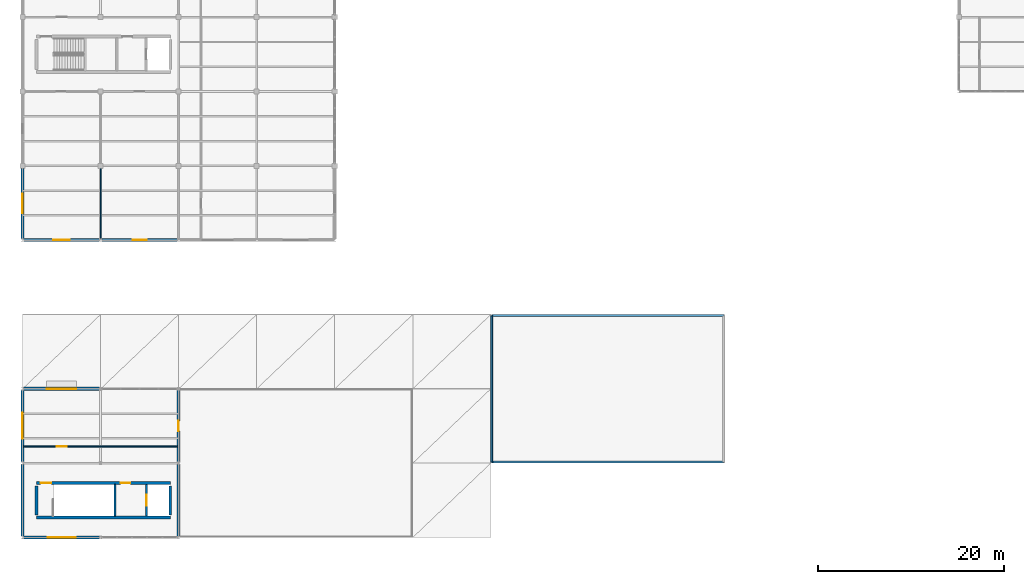
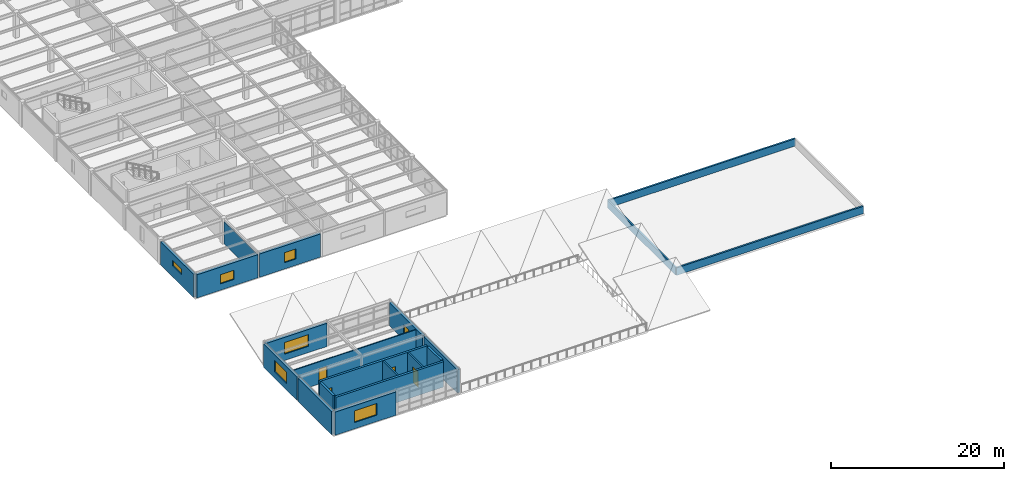
# One storey, part 40 of 53: 20 walls, 6 windows, 5 doors, 11 openings.
"""IFC4 building model written with IfcOpenShell, lengths in metres."""

import ifcopenshell
import ifcopenshell.guid

model = None  # the IFC model being written
_history = None  # IfcOwnerHistory: only IFC2X3 demands one
_inside = {}  # id of a spatial element -> (the spatial element, [elements in it])
_under = {}  # id of a project, library or spatial element -> (it, [spatial elements below it])
_declared = {}  # id of a project -> (the project, [libraries it declares])
_typed = {}  # id of a type object -> (the type object, [elements of that type])
_made_of = {}  # id of a material, layer set ... -> (it, [elements and type objects made of it])


def new_model(schema):
    """Start an empty IFC model of exactly this schema.

    Asked for "IFC4X3", IfcOpenShell would pick the latest addendum, in which some entities
    have other attributes; the version numbers below select the first issue.
    IFC2X3 requires an IfcOwnerHistory on every rooted entity: one is made here for all.
    """
    global model, _history
    if schema == "IFC4X3":
        model = ifcopenshell.file(schema_version=(4, 3, 0, 0))
    else:
        model = ifcopenshell.file(schema=schema)
    _inside.clear()
    _under.clear()
    _declared.clear()
    _typed.clear()
    _made_of.clear()
    _history = None
    if model.schema == "IFC2X3":
        org = make("IfcOrganization", Name="unknown")
        user = make(
            "IfcPersonAndOrganization",
            ThePerson=make("IfcPerson", FamilyName="unknown"),
            TheOrganization=org,
        )
        app = make(
            "IfcApplication",
            ApplicationDeveloper=org,
            Version="unknown",
            ApplicationFullName="unknown",
            ApplicationIdentifier="unknown",
        )
        _history = make(
            "IfcOwnerHistory",
            OwningUser=user,
            OwningApplication=app,
            ChangeAction="ADDED",
            CreationDate=0,
        )
    return model


def make(cls, **values):
    """One entity of the class cls with the attributes given. An attribute that is None is left unset."""
    return model.create_entity(
        cls, **{name: value for name, value in values.items() if value is not None}
    )


def rooted(cls, **values):
    """An entity with a GlobalId (a new one), such as an element, a storey or a relation."""
    return make(cls, GlobalId=ifcopenshell.guid.new(), OwnerHistory=_history, **values)


def si_unit(unit_type, name, prefix=None):
    """IfcSIUnit, for example si_unit("LENGTHUNIT", "METRE", prefix="MILLI")."""
    return make("IfcSIUnit", UnitType=unit_type, Prefix=prefix, Name=name)


def assignment(units):
    """IfcUnitAssignment: the units of a project."""
    return None if units is None else make("IfcUnitAssignment", Units=units)


def point(xyz):
    """IfcCartesianPoint."""
    return None if xyz is None else make("IfcCartesianPoint", Coordinates=xyz)


def direction(xyz):
    """IfcDirection."""
    return None if xyz is None else make("IfcDirection", DirectionRatios=xyz)


def frame(location, z_axis=None, x_axis=None):
    """IfcAxis2Placement3D, a coordinate frame: its origin and axes. An axis left out is left unset."""
    return make(
        "IfcAxis2Placement3D",
        Location=point(location),
        Axis=direction(z_axis),
        RefDirection=direction(x_axis),
    )


def frame_2d(location, x_axis=None):
    """IfcAxis2Placement2D, a coordinate frame in the plane: its origin and x axis."""
    return make(
        "IfcAxis2Placement2D", Location=point(location), RefDirection=direction(x_axis)
    )


def origin():
    """The frame at (0, 0, 0) with its axes left unset."""
    return frame((0.0, 0.0, 0.0))


def place(relative_to, where):
    """IfcLocalPlacement: puts the frame where relative to a parent placement (None: the world)."""
    return make(
        "IfcLocalPlacement", PlacementRelTo=relative_to, RelativePlacement=where
    )


def context(
    kind, dimensions, precision=None, world=None, true_north=None, identifier=None
):
    """IfcGeometricRepresentationContext, for example the 3D "Model" context."""
    return make(
        "IfcGeometricRepresentationContext",
        ContextIdentifier=identifier,
        ContextType=kind,
        CoordinateSpaceDimension=dimensions,
        Precision=precision,
        WorldCoordinateSystem=world,
        TrueNorth=true_north,
    )


def subcontext(parent, identifier, kind, view, scale=None):
    """IfcGeometricRepresentationSubContext, for example "Body" below "Model"."""
    return make(
        "IfcGeometricRepresentationSubContext",
        ContextIdentifier=identifier,
        ContextType=kind,
        ParentContext=parent,
        TargetScale=scale,
        TargetView=view,
    )


def project(units=None, contexts=None):
    """IfcProject with its units and contexts."""
    return rooted(
        "IfcProject",
        Name="project",
        RepresentationContexts=contexts,
        UnitsInContext=assignment(units),
    )


def spatial(cls, under=None, at=None, **own):
    """A site, building, storey or space (cls), placed at a placement, below another one or the project."""
    s = rooted(cls, ObjectPlacement=at, **own)
    if under is not None:
        _under.setdefault(under.id(), (under, []))[1].append(s)
    return s


def profile(cls, at=None, kind="AREA", **sizes):
    """A parametric profile (cls). Its sizes go by their IFC names, for example OverallWidth=200.0."""
    return make(cls, ProfileType=kind, Position=at, **sizes)


def rectangle(**sizes):
    """IfcRectangleProfileDef."""
    return profile("IfcRectangleProfileDef", **sizes)


def extrude(swept, where, along, depth):
    """IfcExtrudedAreaSolid: the profile swept, set in the frame where, extruded along a direction by depth."""
    return make(
        "IfcExtrudedAreaSolid",
        SweptArea=swept,
        Position=where,
        ExtrudedDirection=direction(along),
        Depth=depth,
    )


def shape(context_of_items, identifier, shape_type, items):
    """IfcShapeRepresentation: the items that make up one representation, for example the "Body"."""
    return make(
        "IfcShapeRepresentation",
        ContextOfItems=context_of_items,
        RepresentationIdentifier=identifier,
        RepresentationType=shape_type,
        Items=items,
    )


def material(Name=None, Category=None):
    """IfcMaterial."""
    return make("IfcMaterial", Name=Name, Category=Category)


def layer(
    of_material, thickness, ventilated=None, Name=None, Category=None, Priority=None
):
    """IfcMaterialLayer: one layer of a wall or slab, of a material (None: an air gap)."""
    return make(
        "IfcMaterialLayer",
        Material=of_material,
        LayerThickness=thickness,
        IsVentilated=ventilated,
        Name=Name,
        Category=Category,
        Priority=Priority,
    )


def layer_set(layers, Name=None):
    """IfcMaterialLayerSet."""
    return make("IfcMaterialLayerSet", MaterialLayers=layers, LayerSetName=Name)


def made_of(thing, what):
    """Note that an element or type object is made of a material, layer set ...; save() writes the relation."""
    if what is not None:
        _made_of.setdefault(what.id(), (what, []))[1].append(thing)
    return thing


def type_object(cls, material=None, **own):
    """A type object (cls), such as IfcWallType, which elements share."""
    return made_of(rooted(cls, **own), material)


def element(
    cls,
    number,
    at=None,
    inside=None,
    cuts=None,
    type_object=None,
    material=None,
    context=None,
    identifier="Body",
    shape_type=None,
    held_by="IfcProductDefinitionShape",
    body=None,
    shapes=None,
    **own,
):
    """One element of the class cls, such as IfcWall. Its Tag is "e" and its number.

    at: its placement. inside: the storey or other place that contains it. cuts: it is an
    opening in that element (IfcRelVoidsElement). A single representation is given by context,
    identifier, shape_type and body (its items); several are given by shapes. held_by: the class
    of the entity that holds the representations. save() writes the other relations.
    """
    e = rooted(cls, Tag="e%d" % number, ObjectPlacement=at, **own)
    if body is not None:
        shapes = [shape(context, identifier, shape_type, body)]
    if shapes is not None:
        e.Representation = make(held_by, Representations=shapes)
    if inside is not None:
        _inside.setdefault(inside.id(), (inside, []))[1].append(e)
    if cuts is not None:
        rooted(
            "IfcRelVoidsElement", RelatingBuildingElement=cuts, RelatedOpeningElement=e
        )
    if type_object is not None:
        _typed.setdefault(type_object.id(), (type_object, []))[1].append(e)
    return made_of(e, material)


def fill(opening, filler):
    """IfcRelFillsElement: the door or window that sits in an opening."""
    return rooted(
        "IfcRelFillsElement",
        RelatingOpeningElement=opening,
        RelatedBuildingElement=filler,
    )


def aggregate(whole, parts):
    """IfcRelAggregates: a whole, such as a stair, and the parts it consists of."""
    return rooted("IfcRelAggregates", RelatingObject=whole, RelatedObjects=parts)


def save(model, path):
    """Write the relations noted so far, then the file.

    IfcRelAggregates (storeys below a building ...), IfcRelContainedInSpatialStructure (elements
    in a storey), IfcRelDefinesByType, IfcRelAssociatesMaterial and IfcRelDeclares: one each for
    every whole, place, type object, material and project.
    """
    for whole, parts in _under.values():
        aggregate(whole, parts)
    for where, things in _inside.values():
        rooted(
            "IfcRelContainedInSpatialStructure",
            RelatedElements=things,
            RelatingStructure=where,
        )
    for kind, things in _typed.values():
        rooted("IfcRelDefinesByType", RelatedObjects=things, RelatingType=kind)
    for what, things in _made_of.values():
        rooted("IfcRelAssociatesMaterial", RelatedObjects=things, RelatingMaterial=what)
    for by, libraries in _declared.values():
        rooted("IfcRelDeclares", RelatingContext=by, RelatedDefinitions=libraries)
    model.write(path)


model = new_model("IFC4")

# Units and contexts
model_context = context("Model", 3, precision=1e-05, world=origin(), true_north=direction((0.0, 1.0)))
body_context = subcontext(model_context, "Body", "Model", "MODEL_VIEW")
ifc_project = project(units=[si_unit("LENGTHUNIT", "METRE"), si_unit("AREAUNIT", "SQUARE_METRE"), si_unit("VOLUMEUNIT", "CUBIC_METRE"), si_unit("PLANEANGLEUNIT", "RADIAN"), si_unit("MASSUNIT", "GRAM", prefix="KILO")], contexts=[model_context])

# Site, building, storey
site_placement = place(None, origin())
site = spatial("IfcSite", under=ifc_project, at=site_placement, CompositionType="ELEMENT")
building_placement = place(site_placement, origin())
building = spatial("IfcBuilding", under=site, at=building_placement, Name="Kranzveld Transit Interchange", CompositionType="ELEMENT")
storey_placement = place(building_placement, frame((0.0, 0.0, 13.360107421875)))
storey = spatial("IfcBuildingStorey", under=building, at=storey_placement, Name="L03", CompositionType="ELEMENT", Elevation=13.360107421875)

# Wall, opening, door
ifc_material_1 = material(Name="Clay masonry unit wall, 20 MPa", Category="masonry")
ifc_layer_1 = layer(ifc_material_1, 0.139892578125)
ifc_layer_set_1 = layer_set([ifc_layer_1], Name="Clay masonry unit wall, 20 MPa")
wall_type_1 = type_object("IfcWallType", Name="Acoustic Stud Partition 140", PredefinedType="PARTITIONING", material=ifc_layer_set_1)
wall_1_placement = place(storey_placement, frame((0.0400390625, 25.800048828125, 0.0), z_axis=(0.0, 0.0, 1.0), x_axis=(1.0, 0.0, 0.0)))
wall_1 = element("IfcWall", 1, at=wall_1_placement, inside=storey, type_object=wall_type_1, Name="L03 Partition IW-L03-L03CYCPAV-FRT-321-0", PredefinedType="PARTITIONING", context=body_context, shape_type="SweptSolid", body=[
    extrude(rectangle(XDim=16.719970703125, YDim=0.139892578125, at=frame_2d((8.35986328125, 0.0))), origin(), (0.0, 0.0, 1.0), 3.12646484375),
])
opening_1_placement = place(wall_1_placement, frame((3.659912109375, 0.0, 0.0), z_axis=(0.0, 0.0, 1.0), x_axis=(1.0, 0.0, 0.0)))
opening_1 = element("IfcOpeningElement", 2, at=opening_1_placement, cuts=wall_1, Name="Opening D-321", PredefinedType="OPENING", context=body_context, shape_type="SweptSolid", body=[
    extrude(rectangle(XDim=1.050048828125, YDim=2.14990234375, at=frame_2d((0.52490234375, 1.074951171875))), frame((0.0, 0.079833984375, 0.0), z_axis=(0.0, -1.0, 0.0), x_axis=(1.0, 0.0, 0.0)), (0.0, 0.0, 1.0), 0.159912109375),
])
ifc_material_2 = material(Name="Bronze-anodised thermally broken aluminium", Category="aluminium")
door_type_1 = type_object("IfcDoorType", Name="Acoustic Meeting Door 1050x2150", OperationType="NOTDEFINED", PredefinedType="DOOR", material=ifc_material_2)
door_1_placement = place(opening_1_placement, origin())
door_1 = element("IfcDoor", 3, at=door_1_placement, inside=storey, type_object=door_type_1, Name="L03 Interior Door D-321", OperationType="SINGLE_SWING_LEFT", OverallHeight=2.14990234375, OverallWidth=1.050048828125, PredefinedType="DOOR", context=body_context, shape_type="SweptSolid", body=[
    extrude(rectangle(XDim=1.050048828125, YDim=2.14990234375, at=frame_2d((0.52490234375, 1.074951171875))), frame((0.0, 0.02490234375, 0.0), z_axis=(0.0, -1.0, 0.0), x_axis=(1.0, 0.0, 0.0)), (0.0, 0.0, 1.0), 0.050048828125),
])
fill(opening_1, door_1)

# Wall
ifc_material_3 = material(Name="Concrete C40/50", Category="concrete")
ifc_layer_2 = layer(ifc_material_3, 0.300048828125)
ifc_layer_set_2 = layer_set([ifc_layer_2], Name="Concrete C40/50")
wall_type_2 = type_object("IfcWallType", Name="Core Shear Wall RC 300 C40/50", PredefinedType="SHEAR", material=ifc_layer_set_2)
wall_2_placement = place(storey_placement, frame((1.5, 18.139892578125, 0.0), z_axis=(0.0, 0.0, 1.0), x_axis=(1.0, 0.0, 0.0)))
element("IfcWall", 4, at=wall_2_placement, inside=storey, type_object=wall_type_2, Name="L03 Cycle Hub Core C7 Shear Wall S", PredefinedType="SHEAR", context=body_context, shape_type="SweptSolid", body=[
    extrude(rectangle(XDim=14.39990234375, YDim=0.300048828125, at=frame_2d((7.199951171875, 0.0))), origin(), (0.0, 0.0, 1.0), 3.579833984375),
])

# Wall, openings, doors
wall_3_placement = place(storey_placement, frame((1.5, 21.860107421875, 0.0), z_axis=(0.0, 0.0, 1.0), x_axis=(1.0, 0.0, 0.0)))
wall_3 = element("IfcWall", 5, at=wall_3_placement, inside=storey, type_object=wall_type_2, Name="L03 Cycle Hub Core C7 Shear Wall N", PredefinedType="SHEAR", context=body_context, shape_type="SweptSolid", body=[
    extrude(rectangle(XDim=14.39990234375, YDim=0.300048828125, at=frame_2d((7.199951171875, 0.0))), origin(), (0.0, 0.0, 1.0), 3.579833984375),
])
opening_2_placement = place(wall_3_placement, frame((0.449951171875, 0.0, 0.0), z_axis=(0.0, 0.0, 1.0), x_axis=(1.0, 0.0, 0.0)))
opening_2 = element("IfcOpeningElement", 6, at=opening_2_placement, cuts=wall_3, Name="Opening D-ST-C7-L03", PredefinedType="OPENING", context=body_context, shape_type="SweptSolid", body=[
    extrude(rectangle(XDim=1.14990234375, YDim=2.14990234375, at=frame_2d((0.574951171875, 1.074951171875))), frame((0.0, 0.159912109375, 0.0), z_axis=(0.0, -1.0, 0.0), x_axis=(1.0, 0.0, 0.0)), (0.0, 0.0, 1.0), 0.320068359375),
])
opening_3_placement = place(wall_3_placement, frame((9.050048828125, 0.0, 0.0), z_axis=(0.0, 0.0, 1.0), x_axis=(1.0, 0.0, 0.0)))
opening_3 = element("IfcOpeningElement", 7, at=opening_3_placement, cuts=wall_3, Name="Opening D-LB-C7-L03", PredefinedType="OPENING", context=body_context, shape_type="SweptSolid", body=[
    extrude(rectangle(XDim=1.050048828125, YDim=2.14990234375, at=frame_2d((0.52490234375, 1.074951171875))), frame((0.0, 0.159912109375, 0.0), z_axis=(0.0, -1.0, 0.0), x_axis=(1.0, 0.0, 0.0)), (0.0, 0.0, 1.0), 0.320068359375),
])
ifc_material_4 = material(Name="Steel S355JR", Category="steel")
door_type_2 = type_object("IfcDoorType", Name="Lift Lobby Fire Door 1050x2150 FD120S", OperationType="NOTDEFINED", PredefinedType="DOOR", material=ifc_material_4)
door_2_placement = place(opening_3_placement, origin())
door_2 = element("IfcDoor", 8, at=door_2_placement, inside=storey, type_object=door_type_2, Name="L03 Cycle Hub Core C7 Lift Protected Lobby Door", OperationType="SINGLE_SWING_RIGHT", OverallHeight=2.14990234375, OverallWidth=1.050048828125, PredefinedType="DOOR", context=body_context, shape_type="SweptSolid", body=[
    extrude(rectangle(XDim=1.050048828125, YDim=2.14990234375, at=frame_2d((0.52490234375, 1.074951171875))), frame((0.0, 0.02490234375, 0.0), z_axis=(0.0, -1.0, 0.0), x_axis=(1.0, 0.0, 0.0)), (0.0, 0.0, 1.0), 0.050048828125),
])
fill(opening_3, door_2)
ifc_material_5 = material(Name="Steel S355JR", Category="steel")
door_type_3 = type_object("IfcDoorType", Name="Stair Core Fire Door 1150x2150 FD120S", OperationType="NOTDEFINED", PredefinedType="DOOR", material=ifc_material_5)
door_3_placement = place(opening_2_placement, origin())
door_3 = element("IfcDoor", 9, at=door_3_placement, inside=storey, type_object=door_type_3, Name="L03 ST-CY1 Protected Stair Door", OperationType="SINGLE_SWING_RIGHT", OverallHeight=2.14990234375, OverallWidth=1.14990234375, PredefinedType="DOOR", context=body_context, shape_type="SweptSolid", body=[
    extrude(rectangle(XDim=1.14990234375, YDim=2.14990234375, at=frame_2d((0.574951171875, 1.074951171875))), frame((0.0, 0.02490234375, 0.0), z_axis=(0.0, -1.0, 0.0), x_axis=(1.0, 0.0, 0.0)), (0.0, 0.0, 1.0), 0.050048828125),
])
fill(opening_2, door_3)

# Walls
for number, where, z_axis, x_axis, name in (
    (10, (1.5, 18.43994140625, 0.0), (0.0, 0.0, 1.0), (0.0, 1.0, 0.0), "L03 Cycle Hub Core C7 Shear Wall W"),
    (11, (15.89990234375, 18.43994140625, 0.0), (0.0, 0.0, 1.0), (0.0, 1.0, 0.0), "L03 Cycle Hub Core C7 Shear Wall E"),
):
    element("IfcWall", number, at=place(storey_placement, frame(where, z_axis=z_axis, x_axis=x_axis)), inside=storey, type_object=wall_type_2, Name=name, PredefinedType="SHEAR", context=body_context, shape_type="SweptSolid", body=[
        extrude(rectangle(XDim=3.1201171875, YDim=0.300048828125, at=frame_2d((1.56005859375, 0.0))), origin(), (0.0, 0.0, 1.0), 3.579833984375),
    ])

# Wall, opening, window
ifc_material_6 = material(Name="Pretoria red-purple clinker clay face brick, 35 MPa", Category="masonry")
ifc_layer_3 = layer(ifc_material_6, 0.340087890625)
ifc_layer_set_3 = layer_set([ifc_layer_3], Name="Pretoria red-purple clinker clay face brick, 35 MPa")
wall_type_3 = type_object("IfcWallType", Name="Exterior Cavity Wall Red Clinker 340", PredefinedType="SOLIDWALL", material=ifc_layer_set_3)
wall_4_placement = place(storey_placement, frame((0.128173828125, 32.0, 0.0), z_axis=(0.0, 0.0, 1.0), x_axis=(1.0, 0.0, 0.0)))
wall_4 = element("IfcWall", 12, at=wall_4_placement, inside=storey, type_object=wall_type_3, Name="L03 Clinker Facade Wall 01/E-02/E", PredefinedType="SOLIDWALL", context=body_context, shape_type="SweptSolid", body=[
    extrude(rectangle(XDim=8.143798828125, YDim=0.340087890625, at=frame_2d((4.07177734375, 0.0))), origin(), (0.0, 0.0, 1.0), 3.27978515625),
])
opening_4_placement = place(wall_4_placement, frame((2.471923828125, 0.0, 0.89990234375), z_axis=(0.0, 0.0, 1.0), x_axis=(1.0, 0.0, 0.0)))
opening_4 = element("IfcOpeningElement", 13, at=opening_4_placement, cuts=wall_4, Name="Opening W-03", PredefinedType="OPENING", context=body_context, shape_type="SweptSolid", body=[
    extrude(rectangle(XDim=3.199951171875, YDim=1.64990234375, at=frame_2d((1.60009765625, 0.824951171875))), frame((0.0, 0.179931640625, 0.0), z_axis=(0.0, -1.0, 0.0), x_axis=(1.0, 0.0, 0.0)), (0.0, 0.0, 1.0), 0.360107421875),
])
ifc_material_7 = material(Name="Solar-control double glazing", Category="glass")
window_type_1 = type_object("IfcWindowType", Name="Window Ribbon Triple 3200x1650", PartitioningType="TRIPLE_PANEL_VERTICAL", PredefinedType="WINDOW", material=ifc_material_7)
window_1_placement = place(opening_4_placement, origin())
window_1 = element("IfcWindow", 14, at=window_1_placement, inside=storey, type_object=window_type_1, Name="L03 Facade Window 01/E", OverallHeight=1.64990234375, OverallWidth=3.199951171875, PartitioningType="TRIPLE_PANEL_VERTICAL", PredefinedType="WINDOW", context=body_context, shape_type="SweptSolid", body=[
    extrude(rectangle(XDim=3.199951171875, YDim=1.64990234375, at=frame_2d((1.60009765625, 0.824951171875))), frame((0.0, 0.030029296875, 0.0), z_axis=(0.0, -1.0, 0.0), x_axis=(1.0, 0.0, 0.0)), (0.0, 0.0, 1.0), 0.06005859375),
])
fill(opening_4, window_1)

# Wall
wall_5_placement = place(storey_placement, frame((16.800048828125, 16.130126953125, 0.0), z_axis=(0.0, 0.0, 1.0), x_axis=(0.0, 1.0, 0.0)))
element("IfcWall", 15, at=wall_5_placement, inside=storey, type_object=wall_type_3, Name="L03 Clinker Facade Wall 03/C-03/D", PredefinedType="SOLIDWALL", context=body_context, shape_type="SweptSolid", body=[
    extrude(rectangle(XDim=7.73974609375, YDim=0.340087890625, at=frame_2d((3.869873046875, 0.0))), origin(), (0.0, 0.0, 1.0), 3.27978515625),
])

# Wall, opening, door
wall_6_placement = place(storey_placement, frame((16.800048828125, 24.130126953125, 0.0), z_axis=(0.0, 0.0, 1.0), x_axis=(0.0, 1.0, 0.0)))
wall_6 = element("IfcWall", 16, at=wall_6_placement, inside=storey, type_object=wall_type_3, Name="L03 Clinker Facade Wall 03/D-03/E", PredefinedType="SOLIDWALL", context=body_context, shape_type="SweptSolid", body=[
    extrude(rectangle(XDim=7.73974609375, YDim=0.340087890625, at=frame_2d((3.869873046875, 0.0))), origin(), (0.0, 0.0, 1.0), 3.27978515625),
])
opening_5_placement = place(wall_6_placement, frame((4.419921875, 0.0, 0.0), z_axis=(0.0, 0.0, 1.0), x_axis=(-1.0, 0.0, 0.0)))
opening_5 = element("IfcOpeningElement", 17, at=opening_5_placement, cuts=wall_6, Name="Opening ED-L03-17", PredefinedType="OPENING", context=body_context, shape_type="SweptSolid", body=[
    extrude(rectangle(XDim=1.10009765625, YDim=2.14990234375, at=frame_2d((0.550048828125, 1.074951171875))), frame((0.0, 0.179931640625, 0.0), z_axis=(0.0, -1.0, 0.0), x_axis=(1.0, 0.0, 0.0)), (0.0, 0.0, 1.0), 0.360107421875),
])
ifc_material_8 = material(Name="Bronze-anodised thermally broken aluminium", Category="aluminium")
door_type_4 = type_object("IfcDoorType", Name="Terrace Single Access Door 1100x2150", OperationType="NOTDEFINED", PredefinedType="DOOR", material=ifc_material_8)
door_4_placement = place(opening_5_placement, origin())
door_4 = element("IfcDoor", 18, at=door_4_placement, inside=storey, type_object=door_type_4, Name="L03 Terrace Door TERR_L03_CYC", OperationType="SINGLE_SWING_LEFT", OverallHeight=2.14990234375, OverallWidth=1.10009765625, PredefinedType="DOOR", context=body_context, shape_type="SweptSolid", body=[
    extrude(rectangle(XDim=1.10009765625, YDim=2.14990234375, at=frame_2d((0.550048828125, 1.074951171875))), frame((0.0, 0.02490234375, 0.0), z_axis=(0.0, -1.0, 0.0), x_axis=(1.0, 0.0, 0.0)), (0.0, 0.0, 1.0), 0.050048828125),
])
fill(opening_5, door_4)

# Wall, opening, window
wall_7_placement = place(storey_placement, frame((0.128173828125, 16.0, 0.0), z_axis=(0.0, 0.0, 1.0), x_axis=(1.0, 0.0, 0.0)))
wall_7 = element("IfcWall", 19, at=wall_7_placement, inside=storey, type_object=wall_type_3, Name="L03 Clinker Facade Wall 01/C-02/C", PredefinedType="SOLIDWALL", context=body_context, shape_type="SweptSolid", body=[
    extrude(rectangle(XDim=8.143798828125, YDim=0.340087890625, at=frame_2d((4.07177734375, 0.0))), origin(), (0.0, 0.0, 1.0), 3.27978515625),
])
opening_6_placement = place(wall_7_placement, frame((2.572021484375, 0.0, 0.89990234375), z_axis=(0.0, 0.0, 1.0), x_axis=(1.0, 0.0, 0.0)))
opening_6 = element("IfcOpeningElement", 20, at=opening_6_placement, cuts=wall_7, Name="Opening W-04", PredefinedType="OPENING", context=body_context, shape_type="SweptSolid", body=[
    extrude(rectangle(XDim=3.0, YDim=1.64990234375, at=frame_2d((1.5, 0.824951171875))), frame((0.0, 0.179931640625, 0.0), z_axis=(0.0, -1.0, 0.0), x_axis=(1.0, 0.0, 0.0)), (0.0, 0.0, 1.0), 0.360107421875),
])
ifc_material_9 = material(Name="Solar-control double glazing", Category="glass")
window_type_2 = type_object("IfcWindowType", Name="Window Ribbon Double 3000x1650", PartitioningType="DOUBLE_PANEL_VERTICAL", PredefinedType="WINDOW", material=ifc_material_9)
window_2_placement = place(opening_6_placement, origin())
window_2 = element("IfcWindow", 21, at=window_2_placement, inside=storey, type_object=window_type_2, Name="L03 Facade Window 01/C", OverallHeight=1.64990234375, OverallWidth=3.0, PartitioningType="DOUBLE_PANEL_VERTICAL", PredefinedType="WINDOW", context=body_context, shape_type="SweptSolid", body=[
    extrude(rectangle(XDim=3.0, YDim=1.64990234375, at=frame_2d((1.5, 0.824951171875))), frame((0.0, 0.030029296875, 0.0), z_axis=(0.0, -1.0, 0.0), x_axis=(1.0, 0.0, 0.0)), (0.0, 0.0, 1.0), 0.06005859375),
])
fill(opening_6, window_2)

# Wall
wall_8_placement = place(storey_placement, frame((0.0, 16.130126953125, 0.0), z_axis=(0.0, 0.0, 1.0), x_axis=(0.0, 1.0, 0.0)))
element("IfcWall", 22, at=wall_8_placement, inside=storey, type_object=wall_type_3, Name="L03 Clinker Facade Wall 01/C-01/D", PredefinedType="SOLIDWALL", context=body_context, shape_type="SweptSolid", body=[
    extrude(rectangle(XDim=7.73974609375, YDim=0.340087890625, at=frame_2d((3.869873046875, 0.0))), origin(), (0.0, 0.0, 1.0), 3.27978515625),
])

# Wall, opening, window
wall_9_placement = place(storey_placement, frame((0.0, 24.130126953125, 0.0), z_axis=(0.0, 0.0, 1.0), x_axis=(0.0, 1.0, 0.0)))
wall_9 = element("IfcWall", 23, at=wall_9_placement, inside=storey, type_object=wall_type_3, Name="L03 Clinker Facade Wall 01/D-01/E", PredefinedType="SOLIDWALL", context=body_context, shape_type="SweptSolid", body=[
    extrude(rectangle(XDim=7.73974609375, YDim=0.340087890625, at=frame_2d((3.869873046875, 0.0))), origin(), (0.0, 0.0, 1.0), 3.27978515625),
])
opening_7_placement = place(wall_9_placement, frame((2.469970703125, 0.0, 0.89990234375), z_axis=(0.0, 0.0, 1.0), x_axis=(1.0, 0.0, 0.0)))
opening_7 = element("IfcOpeningElement", 24, at=opening_7_placement, cuts=wall_9, Name="Opening W-05", PredefinedType="OPENING", context=body_context, shape_type="SweptSolid", body=[
    extrude(rectangle(XDim=2.800048828125, YDim=1.60009765625, at=frame_2d((1.39990234375, 0.800048828125))), frame((0.0, 0.179931640625, 0.0), z_axis=(0.0, -1.0, 0.0), x_axis=(1.0, 0.0, 0.0)), (0.0, 0.0, 1.0), 0.360107421875),
])
ifc_material_10 = material(Name="Solar-control double glazing", Category="glass")
window_type_3 = type_object("IfcWindowType", Name="Window Ribbon Double 2800x1600", PartitioningType="DOUBLE_PANEL_VERTICAL", PredefinedType="WINDOW", material=ifc_material_10)
window_3_placement = place(opening_7_placement, origin())
window_3 = element("IfcWindow", 25, at=window_3_placement, inside=storey, type_object=window_type_3, Name="L03 Facade Window 01/D", OverallHeight=1.60009765625, OverallWidth=2.800048828125, PartitioningType="DOUBLE_PANEL_VERTICAL", PredefinedType="WINDOW", context=body_context, shape_type="SweptSolid", body=[
    extrude(rectangle(XDim=2.800048828125, YDim=1.60009765625, at=frame_2d((1.39990234375, 0.800048828125))), frame((0.0, 0.030029296875, 0.0), z_axis=(0.0, -1.0, 0.0), x_axis=(1.0, 0.0, 0.0)), (0.0, 0.0, 1.0), 0.06005859375),
])
fill(opening_7, window_3)

wall_10_placement = place(storey_placement, frame((0.128173828125, 48.0, 0.0), z_axis=(0.0, 0.0, 1.0), x_axis=(1.0, 0.0, 0.0)))
wall_10 = element("IfcWall", 26, at=wall_10_placement, inside=storey, type_object=wall_type_3, Name="L03 Clinker Facade Wall 01/G-02/G", PredefinedType="SOLIDWALL", context=body_context, shape_type="SweptSolid", body=[
    extrude(rectangle(XDim=8.143798828125, YDim=0.340087890625, at=frame_2d((4.07177734375, 0.0))), origin(), (0.0, 0.0, 1.0), 3.27978515625),
])
opening_8_placement = place(wall_10_placement, frame((3.171875, 0.0, 0.89990234375), z_axis=(0.0, 0.0, 1.0), x_axis=(1.0, 0.0, 0.0)))
opening_8 = element("IfcOpeningElement", 27, at=opening_8_placement, cuts=wall_10, Name="Opening W-12", PredefinedType="OPENING", context=body_context, shape_type="SweptSolid", body=[
    extrude(rectangle(XDim=1.800048828125, YDim=1.300048828125, at=frame_2d((0.89990234375, 0.64990234375))), frame((0.0, 0.179931640625, 0.0), z_axis=(0.0, -1.0, 0.0), x_axis=(1.0, 0.0, 0.0)), (0.0, 0.0, 1.0), 0.360107421875),
])
ifc_material_11 = material(Name="Solar-control double glazing", Category="glass")
window_type_4 = type_object("IfcWindowType", Name="Window Studio Double 1800x1300", PartitioningType="DOUBLE_PANEL_VERTICAL", PredefinedType="WINDOW", material=ifc_material_11)
window_4_placement = place(opening_8_placement, origin())
window_4 = element("IfcWindow", 28, at=window_4_placement, inside=storey, type_object=window_type_4, Name="L03 Facade Window 01/G", OverallHeight=1.300048828125, OverallWidth=1.800048828125, PartitioningType="DOUBLE_PANEL_VERTICAL", PredefinedType="WINDOW", context=body_context, shape_type="SweptSolid", body=[
    extrude(rectangle(XDim=1.800048828125, YDim=1.300048828125, at=frame_2d((0.89990234375, 0.64990234375))), frame((0.0, 0.030029296875, 0.0), z_axis=(0.0, -1.0, 0.0), x_axis=(1.0, 0.0, 0.0)), (0.0, 0.0, 1.0), 0.06005859375),
])
fill(opening_8, window_4)

wall_11_placement = place(storey_placement, frame((8.528076171875, 48.0, 0.0), z_axis=(0.0, 0.0, 1.0), x_axis=(1.0, 0.0, 0.0)))
wall_11 = element("IfcWall", 29, at=wall_11_placement, inside=storey, type_object=wall_type_3, Name="L03 Clinker Facade Wall 02/G-03/G", PredefinedType="SOLIDWALL", context=body_context, shape_type="SweptSolid", body=[
    extrude(rectangle(XDim=8.143798828125, YDim=0.340087890625, at=frame_2d((4.07177734375, 0.0))), origin(), (0.0, 0.0, 1.0), 3.27978515625),
])
opening_9_placement = place(wall_11_placement, frame((3.322021484375, 0.0, 0.89990234375), z_axis=(0.0, 0.0, 1.0), x_axis=(1.0, 0.0, 0.0)))
opening_9 = element("IfcOpeningElement", 30, at=opening_9_placement, cuts=wall_11, Name="Opening W-13", PredefinedType="OPENING", context=body_context, shape_type="SweptSolid", body=[
    extrude(rectangle(XDim=1.5, YDim=1.39990234375, at=frame_2d((0.75, 0.699951171875))), frame((0.0, 0.179931640625, 0.0), z_axis=(0.0, -1.0, 0.0), x_axis=(1.0, 0.0, 0.0)), (0.0, 0.0, 1.0), 0.360107421875),
])
ifc_material_12 = material(Name="Solar-control double glazing", Category="glass")
window_type_5 = type_object("IfcWindowType", Name="Window Studio Single 1500x1400", PartitioningType="SINGLE_PANEL", PredefinedType="WINDOW", material=ifc_material_12)
window_5_placement = place(opening_9_placement, origin())
window_5 = element("IfcWindow", 31, at=window_5_placement, inside=storey, type_object=window_type_5, Name="L03 Facade Window 02/G", OverallHeight=1.39990234375, OverallWidth=1.5, PartitioningType="SINGLE_PANEL", PredefinedType="WINDOW", context=body_context, shape_type="SweptSolid", body=[
    extrude(rectangle(XDim=1.5, YDim=1.39990234375, at=frame_2d((0.75, 0.699951171875))), frame((0.0, 0.030029296875, 0.0), z_axis=(0.0, -1.0, 0.0), x_axis=(1.0, 0.0, 0.0)), (0.0, 0.0, 1.0), 0.06005859375),
])
fill(opening_9, window_5)

wall_12_placement = place(storey_placement, frame((0.0, 48.130126953125, 0.0), z_axis=(0.0, 0.0, 1.0), x_axis=(0.0, 1.0, 0.0)))
wall_12 = element("IfcWall", 32, at=wall_12_placement, inside=storey, type_object=wall_type_3, Name="L03 Clinker Facade Wall 01/G-01/H", PredefinedType="SOLIDWALL", context=body_context, shape_type="SweptSolid", body=[
    extrude(rectangle(XDim=7.594970703125, YDim=0.340087890625, at=frame_2d((3.79736328125, 0.0))), origin(), (0.0, 0.0, 1.0), 3.27978515625),
])
opening_10_placement = place(wall_12_placement, frame((2.74755859375, 0.0, 1.550048828125), z_axis=(0.0, 0.0, 1.0), x_axis=(1.0, 0.0, 0.0)))
opening_10 = element("IfcOpeningElement", 33, at=opening_10_placement, cuts=wall_12, Name="Opening W-16", PredefinedType="OPENING", context=body_context, shape_type="SweptSolid", body=[
    extrude(rectangle(XDim=2.10009765625, YDim=0.800048828125, at=frame_2d((1.050048828125, 0.39990234375))), frame((0.0, 0.179931640625, 0.0), z_axis=(0.0, -1.0, 0.0), x_axis=(1.0, 0.0, 0.0)), (0.0, 0.0, 1.0), 0.360107421875),
])
ifc_material_13 = material(Name="Solar-control double glazing", Category="glass")
window_type_6 = type_object("IfcWindowType", Name="Window Clerestory 2100x800", PartitioningType="DOUBLE_PANEL_HORIZONTAL", PredefinedType="WINDOW", material=ifc_material_13)
window_6_placement = place(opening_10_placement, origin())
window_6 = element("IfcWindow", 34, at=window_6_placement, inside=storey, type_object=window_type_6, Name="L03 Facade Window 01/G", OverallHeight=0.800048828125, OverallWidth=2.10009765625, PartitioningType="DOUBLE_PANEL_HORIZONTAL", PredefinedType="WINDOW", context=body_context, shape_type="SweptSolid", body=[
    extrude(rectangle(XDim=2.10009765625, YDim=0.800048828125, at=frame_2d((1.050048828125, 0.39990234375))), frame((0.0, 0.030029296875, 0.0), z_axis=(0.0, -1.0, 0.0), x_axis=(1.0, 0.0, 0.0)), (0.0, 0.0, 1.0), 0.06005859375),
])
fill(opening_10, window_6)

# Walls
ifc_material_14 = material(Name="Clay masonry unit wall, 20 MPa", Category="masonry")
ifc_layer_4 = layer(ifc_material_14, 0.125)
ifc_layer_set_4 = layer_set([ifc_layer_4], Name="Clay masonry unit wall, 20 MPa")
wall_type_4 = type_object("IfcWallType", Name="Internal Blockwork Partition 125", PredefinedType="PARTITIONING", material=ifc_layer_set_4)
wall_13_placement = place(storey_placement, frame((8.39990234375, 48.1201171875, 0.0), z_axis=(0.0, 0.0, 1.0), x_axis=(0.0, 1.0, 0.0)))
element("IfcWall", 35, at=wall_13_placement, inside=storey, type_object=wall_type_4, Name="L03 Partition IW-L03-L03V5S-E-311-0", PredefinedType="PARTITIONING", context=body_context, shape_type="SweptSolid", body=[
    extrude(rectangle(XDim=7.614990234375, YDim=0.125, at=frame_2d((3.8076171875, 0.0))), origin(), (0.0, 0.0, 1.0), 3.12646484375),
])
ifc_material_15 = material(Name="Concrete C40/50", Category="concrete")
ifc_layer_5 = layer(ifc_material_15, 0.199951171875)
ifc_layer_set_5 = layer_set([ifc_layer_5], Name="Concrete C40/50")
wall_type_5 = type_object("IfcWallType", Name="Lift Shaft Enclosure Wall RC 200 EI120", PredefinedType="SHEAR", material=ifc_layer_set_5)
wall_14_placement = place(storey_placement, frame((9.949951171875, 18.2900390625, 0.0), z_axis=(0.0, 0.0, 1.0), x_axis=(0.0, 1.0, 0.0)))
element("IfcWall", 36, at=wall_14_placement, inside=storey, type_object=wall_type_5, Name="L03 Cycle Hub Core C7 Stair-Lobby Dividing Wall", PredefinedType="SHEAR", context=body_context, shape_type="SweptSolid", body=[
    extrude(rectangle(XDim=3.419921875, YDim=0.199951171875, at=frame_2d((1.7099609375, 0.0))), origin(), (0.0, 0.0, 1.0), 3.579833984375),
])

# Wall, opening, door
wall_15_placement = place(storey_placement, frame((13.324951171875, 18.2900390625, 0.0), z_axis=(0.0, 0.0, 1.0), x_axis=(0.0, 1.0, 0.0)))
wall_15 = element("IfcWall", 37, at=wall_15_placement, inside=storey, type_object=wall_type_5, Name="L03 LF-CY1 Shaft Front Wall", PredefinedType="SHEAR", context=body_context, shape_type="SweptSolid", body=[
    extrude(rectangle(XDim=3.419921875, YDim=0.199951171875, at=frame_2d((1.7099609375, 0.0))), origin(), (0.0, 0.0, 1.0), 3.579833984375),
])
opening_11_placement = place(wall_15_placement, frame((1.110107421875, 0.0, 0.0), z_axis=(0.0, 0.0, 1.0), x_axis=(1.0, 0.0, 0.0)))
opening_11 = element("IfcOpeningElement", 38, at=opening_11_placement, cuts=wall_15, Name="Opening LD-LF-CY1-L03", PredefinedType="OPENING", context=body_context, shape_type="SweptSolid", body=[
    extrude(rectangle(XDim=1.199951171875, YDim=2.199951171875, at=frame_2d((0.60009765625, 1.10009765625))), frame((0.0, 0.10986328125, 0.0), z_axis=(0.0, -1.0, 0.0), x_axis=(1.0, 0.0, 0.0)), (0.0, 0.0, 1.0), 0.219970703125),
])
ifc_material_16 = material(Name="Steel S355JR", Category="steel")
door_type_5 = type_object("IfcDoorType", Name="Cycle Lift Sliding Door 1200x2200 FD120S", OperationType="NOTDEFINED", PredefinedType="DOOR", material=ifc_material_16)
door_5_placement = place(opening_11_placement, origin())
door_5 = element("IfcDoor", 39, at=door_5_placement, inside=storey, type_object=door_type_5, Name="L03 LF-CY1 Sliding Landing Door", OperationType="DOUBLE_DOOR_SLIDING", OverallHeight=2.199951171875, OverallWidth=1.199951171875, PredefinedType="DOOR", context=body_context, shape_type="SweptSolid", body=[
    extrude(rectangle(XDim=1.199951171875, YDim=2.199951171875, at=frame_2d((0.60009765625, 1.10009765625))), frame((0.0, 0.02490234375, 0.0), z_axis=(0.0, -1.0, 0.0), x_axis=(1.0, 0.0, 0.0)), (0.0, 0.0, 1.0), 0.050048828125),
])
fill(opening_11, door_5)

# Walls
ifc_material_17 = material(Name="Pretoria red-purple clinker clay face brick, 35 MPa", Category="masonry")
ifc_layer_6 = layer(ifc_material_17, 0.22998046875)
ifc_layer_set_6 = layer_set([ifc_layer_6], Name="Pretoria red-purple clinker clay face brick, 35 MPa")
wall_type_6 = type_object("IfcWallType", Name="Roof Parapet Wall Clinker Brick 230", PredefinedType="PARAPET", material=ifc_layer_set_6)
for number, where, z_axis, x_axis, name in (
    (40, (75.47998046875, 24.1201171875, 0.0), (0.0, 0.0, 1.0), (-1.0, 0.0, 0.0), "L03 Roof Parapet 020"),
    (41, (50.52001953125, 39.8798828125, 0.0), (0.0, 0.0, 1.0), (1.0, 0.0, 0.0), "L03 Roof Parapet 022"),
):
    element("IfcWall", number, at=place(storey_placement, frame(where, z_axis=z_axis, x_axis=x_axis)), inside=storey, type_object=wall_type_6, Name=name, PredefinedType="PARAPET", context=body_context, shape_type="SweptSolid", body=[
        extrude(rectangle(XDim=24.9599609375, YDim=0.22998046875, at=frame_2d((12.47998046875, 0.0))), origin(), (0.0, 0.0, 1.0), 1.0498046875),
    ])
ifc_material_18 = material(Name="Dark Pretoria clinker clay plinth brick, 40 MPa", Category="masonry")
ifc_layer_7 = layer(ifc_material_18, 0.215087890625)
ifc_layer_set_7 = layer_set([ifc_layer_7], Name="Dark Pretoria clinker clay plinth brick, 40 MPa")
wall_type_7 = type_object("IfcWallType", Name="Terrace Parapet Upstand Brick 215", PredefinedType="PARAPET", material=ifc_layer_set_7)
wall_16_placement = place(storey_placement, frame((50.52001953125, 24.1201171875, 0.0), z_axis=(0.0, 0.0, 1.0), x_axis=(0.0, 1.0, 0.0)))
element("IfcWall", 42, at=wall_16_placement, inside=storey, type_object=wall_type_7, Name="L03 Roof Parapet 021", PredefinedType="PARAPET", context=body_context, shape_type="SweptSolid", body=[
    extrude(rectangle(XDim=15.759765625, YDim=0.215087890625, at=frame_2d((7.8798828125, 0.0))), origin(), (0.0, 0.0, 1.0), 1.0498046875),
])

save(model, "model.ifc")
